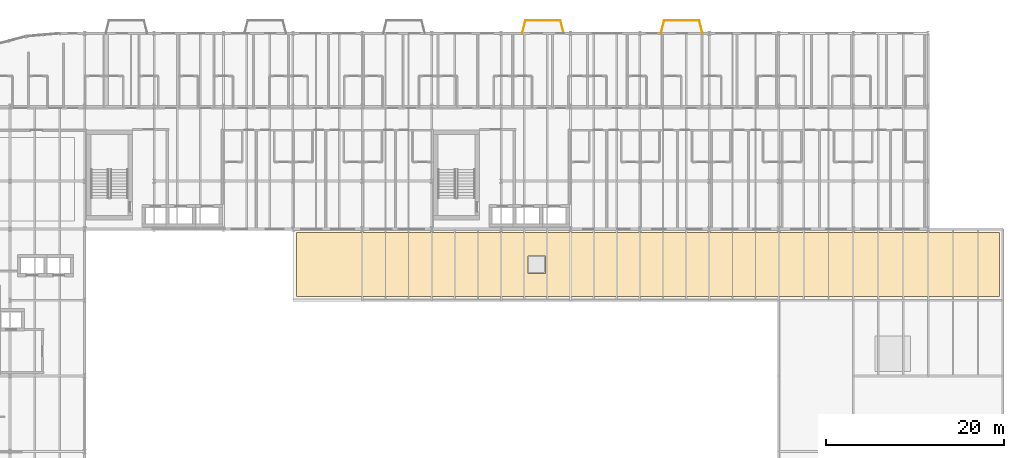
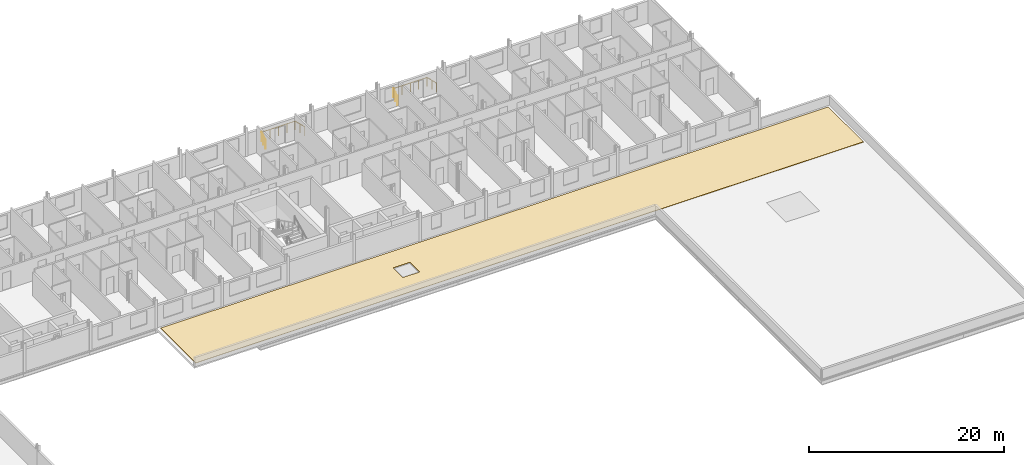
# One storey, part 36 of 36: 6 railings, 1 covering.
"""IFC4 building model written with IfcOpenShell, lengths in metres."""

from ifc_helpers import new_model, si_unit, direction, frame, origin, origin_2d, place, context, subcontext, project, spatial, polyline, circle, outline, extrude, material, layer, layer_set, type_object, element, save


model = new_model("IFC4")

# Units and contexts
model_context = context("Model", 3, precision=1e-05, world=origin(), true_north=direction((0.0, 1.0)))
body_context = subcontext(model_context, "Body", "Model", "MODEL_VIEW")
ifc_project = project(units=[si_unit("LENGTHUNIT", "METRE"), si_unit("AREAUNIT", "SQUARE_METRE"), si_unit("VOLUMEUNIT", "CUBIC_METRE"), si_unit("PLANEANGLEUNIT", "RADIAN"), si_unit("MASSUNIT", "GRAM", prefix="KILO")], contexts=[model_context])

# Site, building, storey
site_placement = place(None, origin())
site = spatial("IfcSite", under=ifc_project, at=site_placement, CompositionType="ELEMENT")
building_placement = place(site_placement, origin())
building = spatial("IfcBuilding", under=site, at=building_placement, Name="Sefraquen Railside Congress Hotel", CompositionType="ELEMENT")
storey_placement = place(building_placement, frame((0.0, 0.0, 24.60009765625)))
storey = spatial("IfcBuildingStorey", under=building, at=storey_placement, Name="L05", CompositionType="ELEMENT", Elevation=24.60009765625)

# Covering
ifc_material_1 = material(Name="Modified SBS polymer roofing membrane and stone ballast", Category="masonry")
ifc_layer = layer(ifc_material_1, 0.06005859375)
ifc_layer_set = layer_set([ifc_layer], Name="Modified SBS polymer roofing membrane and stone ballast")
covering_type = type_object("IfcCoveringType", Name="TCV-ROOF-01", PredefinedType="ROOFING", material=ifc_layer_set)
covering_placement = place(storey_placement, origin())
element("IfcCovering", 1, at=covering_placement, inside=storey, type_object=covering_type, Name="Meeting Wing roof waterproofing membrane", PredefinedType="ROOFING", context=body_context, shape_type="SweptSolid", body=[
    extrude(outline(polyline([(49.0, 88.39990234375), (128.0, 88.39990234375), (128.0, 95.60009765625), (49.0, 95.60009765625), (49.0, 88.39990234375)]), holes=[polyline([(75.0, 91.0), (77.0, 91.0), (77.0, 93.0), (75.0, 93.0), (75.0, 91.0)])]), origin(), (0.0, 0.0, 1.0), 0.0498046875),
])

# Railings
ifc_material_2 = material(Name="Patinated wrought architectural bronze", Category="metal")
railing_type = type_object("IfcRailingType", Name="TRL-BAL-110", PredefinedType="BALUSTRADE", material=ifc_material_2)
railing_1_placement = place(storey_placement, frame((74.3798828125, 118.050048828125, 0.0)))
element("IfcRailing", 2, at=railing_1_placement, inside=storey, type_object=railing_type, Name="Guest balcony Art Nouveau balustrade L05-04", PredefinedType="BALUSTRADE", context=body_context, shape_type="SweptSolid", body=[
    extrude(circle(Radius=0.02392578125, at=origin_2d()), frame((0.0, 0.0, 1.09619140625), z_axis=(0.240948040829, 0.970538016577, 0.0), x_axis=(-0.970538016577, 0.240948040829, 0.0)), (0.0, 0.0, 1.0), 1.411376953125),
    extrude(circle(Radius=0.02099609375, at=origin_2d()), origin(), (0.0, 0.0, 1.0), 1.072021484375),
    extrude(circle(Radius=0.02099609375, at=origin_2d()), frame((0.169921875, 0.68505859375, 0.0)), (0.0, 0.0, 1.0), 1.072021484375),
    extrude(circle(Radius=0.02099609375, at=origin_2d()), frame((0.340087890625, 1.369873046875, 0.0)), (0.0, 0.0, 1.0), 1.072021484375),
])
railing_2_placement = place(storey_placement, frame((74.719970703125, 119.419921875, 0.0)))
element("IfcRailing", 3, at=railing_2_placement, inside=storey, type_object=railing_type, Name="Guest balcony Art Nouveau balustrade L05-04", PredefinedType="BALUSTRADE", context=body_context, shape_type="SweptSolid", body=[
    extrude(circle(Radius=0.02392578125, at=origin_2d()), frame((0.0, 0.0, 1.09619140625), z_axis=(1.0, 0.0, 0.0), x_axis=(0.0, 1.0, 0.0)), (0.0, 0.0, 1.0), 3.9599609375),
    extrude(circle(Radius=0.02099609375, at=origin_2d()), origin(), (0.0, 0.0, 1.0), 1.072021484375),
    extrude(circle(Radius=0.02099609375, at=origin_2d()), frame((0.989990234375, 0.0, 0.0)), (0.0, 0.0, 1.0), 1.072021484375),
    extrude(circle(Radius=0.02099609375, at=origin_2d()), frame((1.97998046875, 0.0, 0.0)), (0.0, 0.0, 1.0), 1.072021484375),
    extrude(circle(Radius=0.02099609375, at=origin_2d()), frame((2.969970703125, 0.0, 0.0)), (0.0, 0.0, 1.0), 1.072021484375),
    extrude(circle(Radius=0.02099609375, at=origin_2d()), frame((3.9599609375, 0.0, 0.0)), (0.0, 0.0, 1.0), 1.072021484375),
])
railing_3_placement = place(storey_placement, frame((78.679931640625, 119.419921875, 0.0)))
element("IfcRailing", 4, at=railing_3_placement, inside=storey, type_object=railing_type, Name="Guest balcony Art Nouveau balustrade L05-04", PredefinedType="BALUSTRADE", context=body_context, shape_type="SweptSolid", body=[
    extrude(circle(Radius=0.02392578125, at=origin_2d()), frame((0.0, 0.0, 1.09619140625), z_axis=(0.240948040829, -0.970538016577, 0.0), x_axis=(0.970538016577, 0.240948040829, 0.0)), (0.0, 0.0, 1.0), 1.411376953125),
    extrude(circle(Radius=0.02099609375, at=origin_2d()), origin(), (0.0, 0.0, 1.0), 1.072021484375),
    extrude(circle(Radius=0.02099609375, at=origin_2d()), frame((0.169921875, -0.68505859375, 0.0)), (0.0, 0.0, 1.0), 1.072021484375),
    extrude(circle(Radius=0.02099609375, at=origin_2d()), frame((0.340087890625, -1.369873046875, 0.0)), (0.0, 0.0, 1.0), 1.072021484375),
])
railing_4_placement = place(storey_placement, frame((89.97998046875, 118.050048828125, 0.0)))
element("IfcRailing", 5, at=railing_4_placement, inside=storey, type_object=railing_type, Name="Guest balcony Art Nouveau balustrade L05-05", PredefinedType="BALUSTRADE", context=body_context, shape_type="SweptSolid", body=[
    extrude(circle(Radius=0.02392578125, at=origin_2d()), frame((0.0, 0.0, 1.09619140625), z_axis=(0.240948040829, 0.970538016577, 0.0), x_axis=(-0.970538016577, 0.240948040829, 0.0)), (0.0, 0.0, 1.0), 1.411376953125),
    extrude(circle(Radius=0.02099609375, at=origin_2d()), origin(), (0.0, 0.0, 1.0), 1.072021484375),
    extrude(circle(Radius=0.02099609375, at=origin_2d()), frame((0.169921875, 0.68505859375, 0.0)), (0.0, 0.0, 1.0), 1.072021484375),
    extrude(circle(Radius=0.02099609375, at=origin_2d()), frame((0.340087890625, 1.369873046875, 0.0)), (0.0, 0.0, 1.0), 1.072021484375),
])
railing_5_placement = place(storey_placement, frame((90.320068359375, 119.419921875, 0.0)))
element("IfcRailing", 6, at=railing_5_placement, inside=storey, type_object=railing_type, Name="Guest balcony Art Nouveau balustrade L05-05", PredefinedType="BALUSTRADE", context=body_context, shape_type="SweptSolid", body=[
    extrude(circle(Radius=0.02392578125, at=origin_2d()), frame((0.0, 0.0, 1.09619140625), z_axis=(1.0, 0.0, 0.0), x_axis=(0.0, 1.0, 0.0)), (0.0, 0.0, 1.0), 3.9599609375),
    extrude(circle(Radius=0.02099609375, at=origin_2d()), origin(), (0.0, 0.0, 1.0), 1.072021484375),
    extrude(circle(Radius=0.02099609375, at=origin_2d()), frame((0.989990234375, 0.0, 0.0)), (0.0, 0.0, 1.0), 1.072021484375),
    extrude(circle(Radius=0.02099609375, at=origin_2d()), frame((1.97998046875, 0.0, 0.0)), (0.0, 0.0, 1.0), 1.072021484375),
    extrude(circle(Radius=0.02099609375, at=origin_2d()), frame((2.969970703125, 0.0, 0.0)), (0.0, 0.0, 1.0), 1.072021484375),
    extrude(circle(Radius=0.02099609375, at=origin_2d()), frame((3.9599609375, 0.0, 0.0)), (0.0, 0.0, 1.0), 1.072021484375),
])
railing_6_placement = place(storey_placement, frame((94.280029296875, 119.419921875, 0.0)))
element("IfcRailing", 7, at=railing_6_placement, inside=storey, type_object=railing_type, Name="Guest balcony Art Nouveau balustrade L05-05", PredefinedType="BALUSTRADE", context=body_context, shape_type="SweptSolid", body=[
    extrude(circle(Radius=0.02392578125, at=origin_2d()), frame((0.0, 0.0, 1.09619140625), z_axis=(0.240948040829, -0.970538016577, 0.0), x_axis=(0.970538016577, 0.240948040829, 0.0)), (0.0, 0.0, 1.0), 1.411376953125),
    extrude(circle(Radius=0.02099609375, at=origin_2d()), origin(), (0.0, 0.0, 1.0), 1.072021484375),
    extrude(circle(Radius=0.02099609375, at=origin_2d()), frame((0.169921875, -0.68505859375, 0.0)), (0.0, 0.0, 1.0), 1.072021484375),
    extrude(circle(Radius=0.02099609375, at=origin_2d()), frame((0.340087890625, -1.369873046875, 0.0)), (0.0, 0.0, 1.0), 1.072021484375),
])

save(model, "model.ifc")
